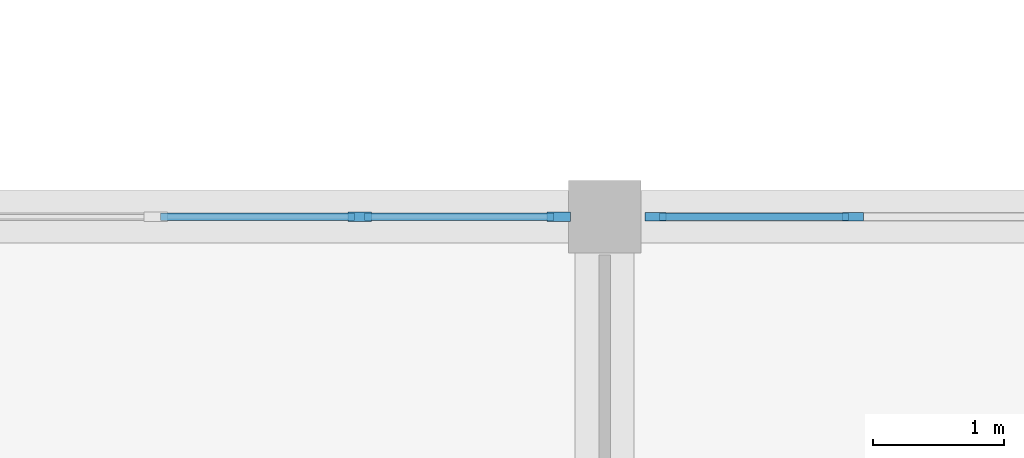
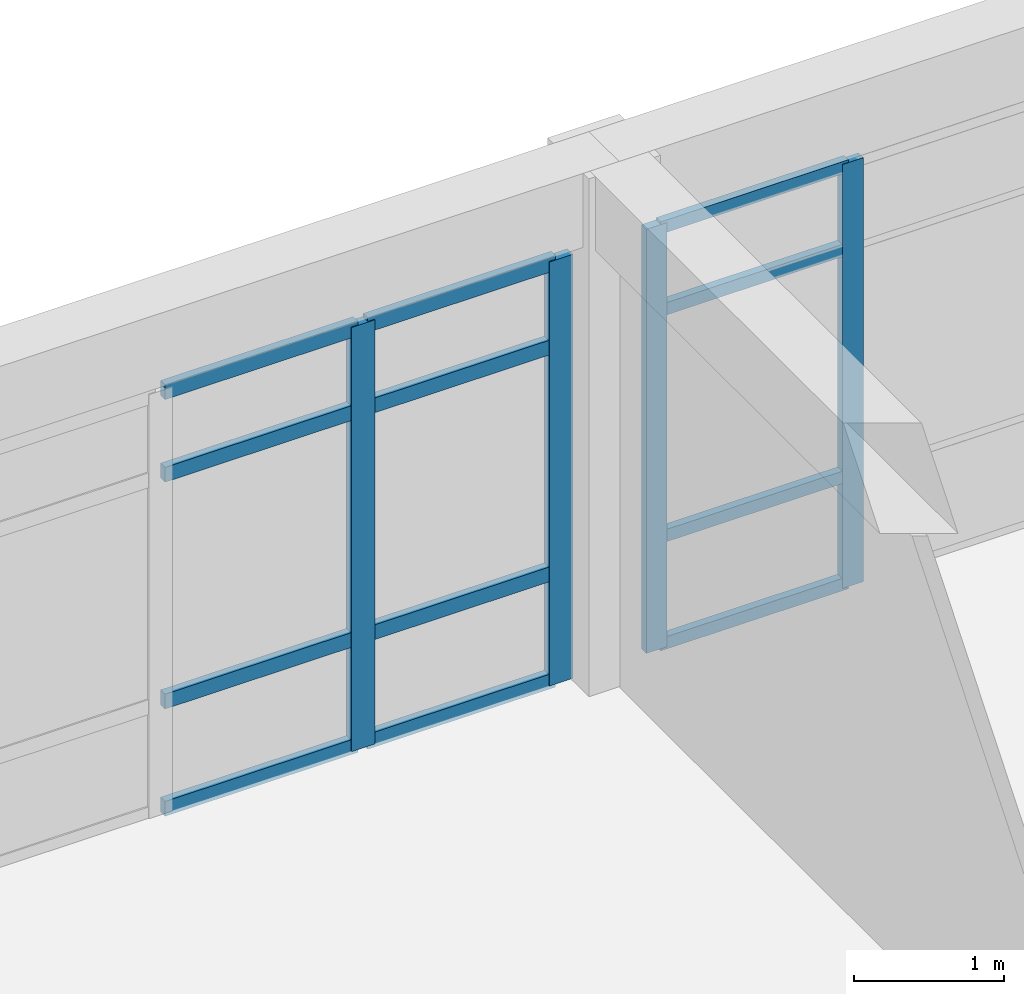
# One storey, part 11 of 77: 16 members, 2 elements without a shape of their own.
"""IFC4 building model written with IfcOpenShell, lengths in metres."""

from ifc_helpers import new_model, si_unit, direction, frame, origin, origin_2d, place, context, subcontext, project, spatial, rectangle, extrude, material, material_profile, profile_set, type_object, element, aggregate, save


model = new_model("IFC4")

# Units and contexts
model_context = context("Model", 3, precision=1e-05, world=origin(), true_north=direction((0.0, 1.0)))
body_context = subcontext(model_context, "Body", "Model", "MODEL_VIEW")
ifc_project = project(units=[si_unit("LENGTHUNIT", "METRE"), si_unit("AREAUNIT", "SQUARE_METRE"), si_unit("VOLUMEUNIT", "CUBIC_METRE"), si_unit("PLANEANGLEUNIT", "RADIAN"), si_unit("MASSUNIT", "GRAM", prefix="KILO")], contexts=[model_context])

# Site, building, storey
site_placement = place(None, origin())
site = spatial("IfcSite", under=ifc_project, at=site_placement, CompositionType="ELEMENT")
building_placement = place(site_placement, origin())
building = spatial("IfcBuilding", under=site, at=building_placement, Name="Varncliffe General Hospital", CompositionType="ELEMENT")
storey_placement = place(building_placement, frame((0.0, 0.0, 16.199951171875)))
storey = spatial("IfcBuildingStorey", under=building, at=storey_placement, Name="L03", CompositionType="ELEMENT", Elevation=16.199951171875)

# Curtain wall, members
ifc_material_1 = material(Name="Triple low-E argon insulated vision glazing", Category="glass")
curtain_wall_type_1 = type_object("IfcCurtainWallType", Name="Unitised Glazed Curtain Wall CW23 (7774x3440)", PredefinedType="USERDEFINED", material=ifc_material_1)
curtain_wall_1_placement = place(storey_placement, origin())
curtain_wall_1 = element("IfcCurtainWall", 1, at=curtain_wall_1_placement, inside=storey, type_object=curtain_wall_type_1, Name="L03 Glazed Curtain Wall CW23-160", ObjectType="GLAZED CURTAIN WALL", PredefinedType="USERDEFINED")
ifc_material_2 = material(Name="Dark bronze thermally broken aluminium framing", Category="aluminium")
ifc_material_profile_1 = material_profile(ifc_material_2, rectangle(XDim=0.074951171875, YDim=0.179931640625, at=origin_2d()), Name="ALU 75x180")
ifc_profile_set_1 = profile_set([ifc_material_profile_1], Name="Dark bronze thermally broken aluminium framing")
member_type_1 = type_object("IfcMemberType", Name="Curtain Wall Mullion CM44 (ALU 75x180)", PredefinedType="MULLION", material=ifc_profile_set_1)
member_1_placement = place(storey_placement, frame((124.132080078125, 40.800048828125, 0.0), z_axis=(0.0, 0.0, 1.0), x_axis=(0.0, 1.0, 0.0)))
member_1 = element("IfcMember", 2, at=member_1_placement, type_object=member_type_1, Name="CW23 mullion 5", PredefinedType="MULLION", context=body_context, shape_type="SweptSolid", body=[
    extrude(rectangle(XDim=0.074951171875, YDim=0.179931640625, at=origin_2d()), origin(), (0.0, 0.0, 1.0), 3.43994140625),
])
member_2_placement = place(storey_placement, frame((125.6494140625, 40.800048828125, 0.0), z_axis=(0.0, 0.0, 1.0), x_axis=(0.0, 1.0, 0.0)))
member_2 = element("IfcMember", 3, at=member_2_placement, type_object=member_type_1, Name="CW23 mullion 6", PredefinedType="MULLION", context=body_context, shape_type="SweptSolid", body=[
    extrude(rectangle(XDim=0.074951171875, YDim=0.179931640625, at=origin_2d()), origin(), (0.0, 0.0, 1.0), 3.43994140625),
])

curtain_wall_type_2 = type_object("IfcCurtainWallType", Name="Unitised Glazed Curtain Wall CW37 (7694x3440)", PredefinedType="USERDEFINED", material=ifc_material_1)
curtain_wall_2_placement = place(storey_placement, origin())
curtain_wall_2 = element("IfcCurtainWall", 4, at=curtain_wall_2_placement, inside=storey, type_object=curtain_wall_type_2, Name="L03 Glazed Curtain Wall CW37-161", ObjectType="GLAZED CURTAIN WALL", PredefinedType="USERDEFINED")
ifc_material_profile_2 = material_profile(ifc_material_2, rectangle(XDim=0.06494140625, YDim=0.159912109375, at=origin_2d()), Name="ALU 65x160")
ifc_profile_set_2 = profile_set([ifc_material_profile_2], Name="Dark bronze thermally broken aluminium framing")
member_type_2 = type_object("IfcMemberType", Name="Curtain Wall Mullion CM65 (ALU 65x160)", PredefinedType="MULLION", material=ifc_profile_set_2)
member_3_placement = place(storey_placement, frame((126.385498046875, 40.800048828125, 0.0), z_axis=(0.0, 0.0, 1.0), x_axis=(0.0, 1.0, 0.0)))
member_3 = element("IfcMember", 5, at=member_3_placement, type_object=member_type_2, Name="CW37 mullion 1", PredefinedType="MULLION", context=body_context, shape_type="SweptSolid", body=[
    extrude(rectangle(XDim=0.06494140625, YDim=0.159912109375, at=origin_2d()), origin(), (0.0, 0.0, 1.0), 3.43994140625),
])
member_4_placement = place(storey_placement, frame((127.891845703125, 40.800048828125, 0.0), z_axis=(0.0, 0.0, 1.0), x_axis=(0.0, 1.0, 0.0)))
member_4 = element("IfcMember", 6, at=member_4_placement, type_object=member_type_2, Name="CW37 mullion 2", PredefinedType="MULLION", context=body_context, shape_type="SweptSolid", body=[
    extrude(rectangle(XDim=0.06494140625, YDim=0.159912109375, at=origin_2d()), origin(), (0.0, 0.0, 1.0), 3.43994140625),
])

# Member
ifc_material_profile_3 = material_profile(ifc_material_2, rectangle(XDim=0.06005859375, YDim=0.1201171875, at=origin_2d()), Name="ALU 60x120")
ifc_profile_set_3 = profile_set([ifc_material_profile_3], Name="Dark bronze thermally broken aluminium framing")
member_type_3 = type_object("IfcMemberType", Name="Curtain Wall Transom CT14 (ALU 60x120)", PredefinedType="USERDEFINED", material=ifc_profile_set_3)
member_5_placement = place(storey_placement, frame((122.614990234375, 40.800048828125, 0.030029296875), z_axis=(1.0, 0.0, 0.0), x_axis=(0.0, 1.0, 0.0)))
member_5 = element("IfcMember", 7, at=member_5_placement, type_object=member_type_3, Name="CW23 transom 4.1", ObjectType="TRANSOM", PredefinedType="USERDEFINED", context=body_context, shape_type="SweptSolid", body=[
    extrude(rectangle(XDim=0.06005859375, YDim=0.1201171875, at=origin_2d()), origin(), (0.0, 0.0, 1.0), 1.479736328125),
])

member_6_placement = place(storey_placement, frame((122.614990234375, 40.800048828125, 0.900146484375), z_axis=(1.0, 0.0, 0.0), x_axis=(0.0, 1.0, 0.0)))
member_6 = element("IfcMember", 8, at=member_6_placement, type_object=member_type_3, Name="CW23 transom 4.2", ObjectType="TRANSOM", PredefinedType="USERDEFINED", context=body_context, shape_type="SweptSolid", body=[
    extrude(rectangle(XDim=0.06005859375, YDim=0.1201171875, at=origin_2d()), origin(), (0.0, 0.0, 1.0), 1.479736328125),
])

member_7_placement = place(storey_placement, frame((122.614990234375, 40.800048828125, 2.739990234375), z_axis=(1.0, 0.0, 0.0), x_axis=(0.0, 1.0, 0.0)))
member_7 = element("IfcMember", 9, at=member_7_placement, type_object=member_type_3, Name="CW23 transom 4.3", ObjectType="TRANSOM", PredefinedType="USERDEFINED", context=body_context, shape_type="SweptSolid", body=[
    extrude(rectangle(XDim=0.06005859375, YDim=0.1201171875, at=origin_2d()), origin(), (0.0, 0.0, 1.0), 1.479736328125),
])

member_8_placement = place(storey_placement, frame((122.614990234375, 40.800048828125, 3.41015625), z_axis=(1.0, 0.0, 0.0), x_axis=(0.0, 1.0, 0.0)))
member_8 = element("IfcMember", 10, at=member_8_placement, type_object=member_type_3, Name="CW23 transom 4.4", ObjectType="TRANSOM", PredefinedType="USERDEFINED", context=body_context, shape_type="SweptSolid", body=[
    extrude(rectangle(XDim=0.06005859375, YDim=0.1201171875, at=origin_2d()), origin(), (0.0, 0.0, 1.0), 1.479736328125),
])

member_9_placement = place(storey_placement, frame((124.169677734375, 40.800048828125, 0.030029296875), z_axis=(1.0, 0.0, 0.0), x_axis=(0.0, 1.0, 0.0)))
member_9 = element("IfcMember", 11, at=member_9_placement, type_object=member_type_3, Name="CW23 transom 5.1", ObjectType="TRANSOM", PredefinedType="USERDEFINED", context=body_context, shape_type="SweptSolid", body=[
    extrude(rectangle(XDim=0.06005859375, YDim=0.1201171875, at=origin_2d()), origin(), (0.0, 0.0, 1.0), 1.4423828125),
])

member_10_placement = place(storey_placement, frame((124.169677734375, 40.800048828125, 0.900146484375), z_axis=(1.0, 0.0, 0.0), x_axis=(0.0, 1.0, 0.0)))
member_10 = element("IfcMember", 12, at=member_10_placement, type_object=member_type_3, Name="CW23 transom 5.2", ObjectType="TRANSOM", PredefinedType="USERDEFINED", context=body_context, shape_type="SweptSolid", body=[
    extrude(rectangle(XDim=0.06005859375, YDim=0.1201171875, at=origin_2d()), origin(), (0.0, 0.0, 1.0), 1.4423828125),
])

member_11_placement = place(storey_placement, frame((124.169677734375, 40.800048828125, 2.739990234375), z_axis=(1.0, 0.0, 0.0), x_axis=(0.0, 1.0, 0.0)))
member_11 = element("IfcMember", 13, at=member_11_placement, type_object=member_type_3, Name="CW23 transom 5.3", ObjectType="TRANSOM", PredefinedType="USERDEFINED", context=body_context, shape_type="SweptSolid", body=[
    extrude(rectangle(XDim=0.06005859375, YDim=0.1201171875, at=origin_2d()), origin(), (0.0, 0.0, 1.0), 1.4423828125),
])

member_12_placement = place(storey_placement, frame((124.169677734375, 40.800048828125, 3.41015625), z_axis=(1.0, 0.0, 0.0), x_axis=(0.0, 1.0, 0.0)))
member_12 = element("IfcMember", 14, at=member_12_placement, type_object=member_type_3, Name="CW23 transom 5.4", ObjectType="TRANSOM", PredefinedType="USERDEFINED", context=body_context, shape_type="SweptSolid", body=[
    extrude(rectangle(XDim=0.06005859375, YDim=0.1201171875, at=origin_2d()), origin(), (0.0, 0.0, 1.0), 1.4423828125),
])

aggregate(curtain_wall_1, [member_1, member_2, member_5, member_6, member_7, member_8, member_9, member_10, member_11, member_12])

ifc_material_profile_4 = material_profile(ifc_material_2, rectangle(XDim=0.06005859375, YDim=0.10009765625, at=origin_2d()), Name="ALU 60x100")
ifc_profile_set_4 = profile_set([ifc_material_profile_4], Name="Dark bronze thermally broken aluminium framing")
member_type_4 = type_object("IfcMemberType", Name="Curtain Wall Transom CT18 (ALU 60x100)", PredefinedType="USERDEFINED", material=ifc_profile_set_4)
member_13_placement = place(storey_placement, frame((126.41796875, 40.800048828125, 0.030029296875), z_axis=(1.0, 0.0, 0.0), x_axis=(0.0, 1.0, 0.0)))
member_13 = element("IfcMember", 15, at=member_13_placement, type_object=member_type_4, Name="CW37 transom 1.1", ObjectType="TRANSOM", PredefinedType="USERDEFINED", context=body_context, shape_type="SweptSolid", body=[
    extrude(rectangle(XDim=0.06005859375, YDim=0.10009765625, at=origin_2d()), origin(), (0.0, 0.0, 1.0), 1.44140625),
])

member_14_placement = place(storey_placement, frame((126.41796875, 40.800048828125, 0.900146484375), z_axis=(1.0, 0.0, 0.0), x_axis=(0.0, 1.0, 0.0)))
member_14 = element("IfcMember", 16, at=member_14_placement, type_object=member_type_4, Name="CW37 transom 1.2", ObjectType="TRANSOM", PredefinedType="USERDEFINED", context=body_context, shape_type="SweptSolid", body=[
    extrude(rectangle(XDim=0.06005859375, YDim=0.10009765625, at=origin_2d()), origin(), (0.0, 0.0, 1.0), 1.44140625),
])

member_15_placement = place(storey_placement, frame((126.41796875, 40.800048828125, 2.739990234375), z_axis=(1.0, 0.0, 0.0), x_axis=(0.0, 1.0, 0.0)))
member_15 = element("IfcMember", 17, at=member_15_placement, type_object=member_type_4, Name="CW37 transom 1.3", ObjectType="TRANSOM", PredefinedType="USERDEFINED", context=body_context, shape_type="SweptSolid", body=[
    extrude(rectangle(XDim=0.06005859375, YDim=0.10009765625, at=origin_2d()), origin(), (0.0, 0.0, 1.0), 1.44140625),
])

member_16_placement = place(storey_placement, frame((126.41796875, 40.800048828125, 3.41015625), z_axis=(1.0, 0.0, 0.0), x_axis=(0.0, 1.0, 0.0)))
member_16 = element("IfcMember", 18, at=member_16_placement, type_object=member_type_4, Name="CW37 transom 1.4", ObjectType="TRANSOM", PredefinedType="USERDEFINED", context=body_context, shape_type="SweptSolid", body=[
    extrude(rectangle(XDim=0.06005859375, YDim=0.10009765625, at=origin_2d()), origin(), (0.0, 0.0, 1.0), 1.44140625),
])

aggregate(curtain_wall_2, [member_3, member_4, member_13, member_14, member_15, member_16])

save(model, "model.ifc")
